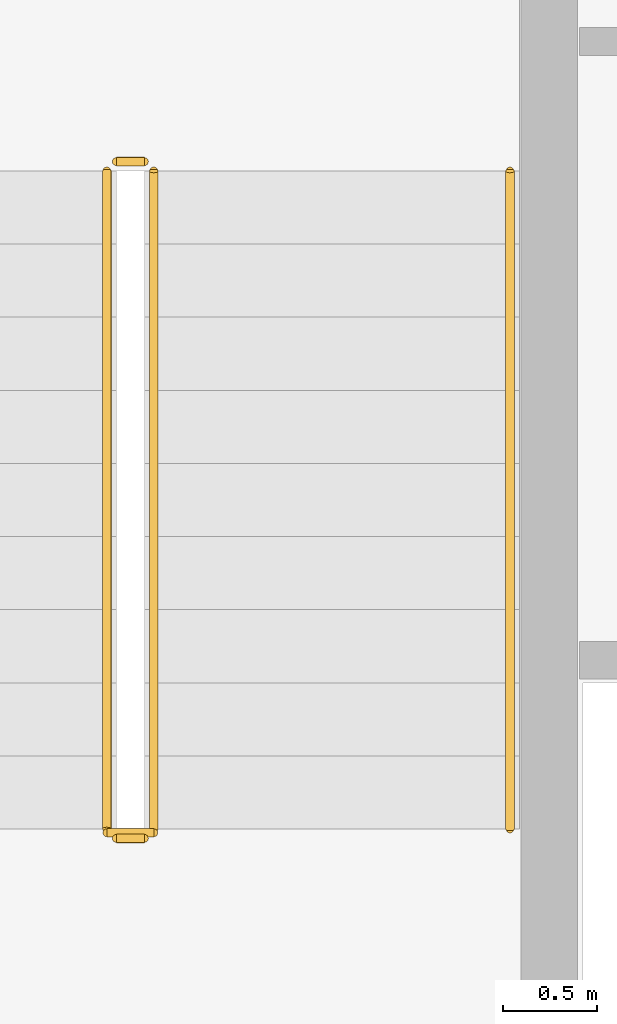
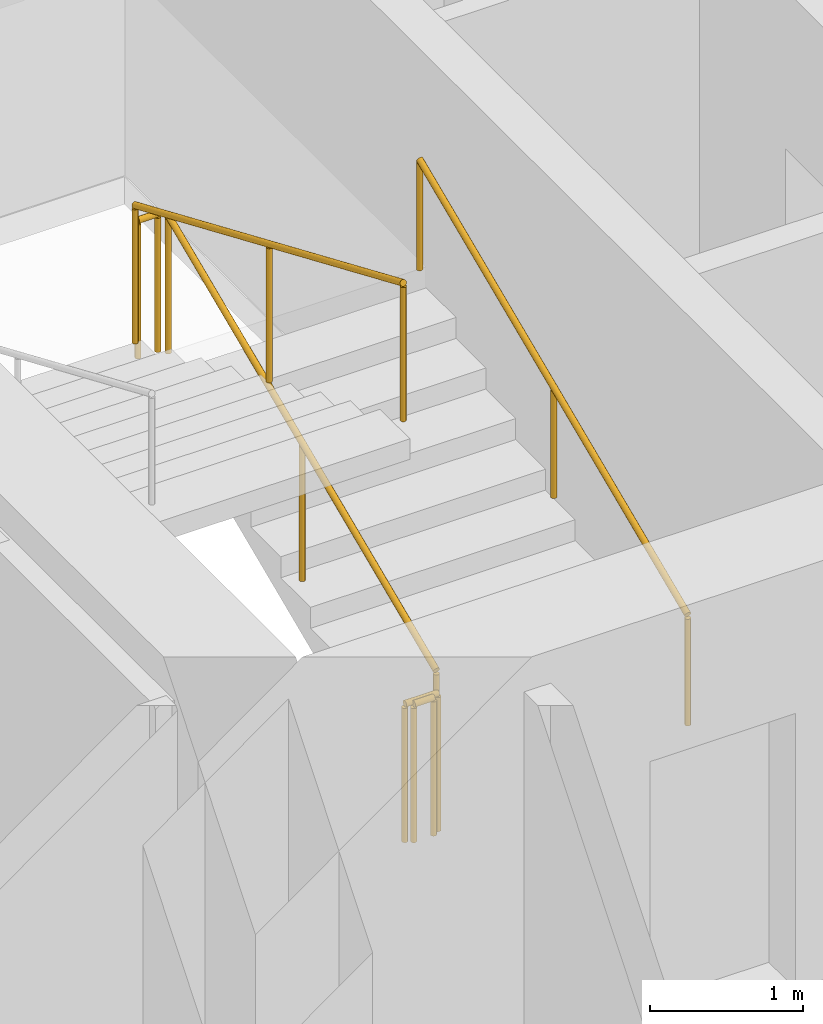
# One storey, part 38 of 39: 6 railings.
"""IFC4 building model written with IfcOpenShell, lengths in metres."""

from ifc_helpers import new_model, si_unit, direction, frame, origin, origin_2d, place, context, subcontext, project, spatial, circle, extrude, material, layer, layer_set, type_object, element, save


model = new_model("IFC4")

# Units and contexts
model_context = context("Model", 3, precision=1e-05, world=origin(), true_north=direction((0.0, 1.0)))
body_context = subcontext(model_context, "Body", "Model", "MODEL_VIEW")
ifc_project = project(units=[si_unit("LENGTHUNIT", "METRE"), si_unit("AREAUNIT", "SQUARE_METRE"), si_unit("VOLUMEUNIT", "CUBIC_METRE"), si_unit("PLANEANGLEUNIT", "RADIAN"), si_unit("MASSUNIT", "GRAM", prefix="KILO")], contexts=[model_context])

# Site, building, storey
site_placement = place(None, origin())
site = spatial("IfcSite", under=ifc_project, at=site_placement, CompositionType="ELEMENT")
building_placement = place(site_placement, origin())
building = spatial("IfcBuilding", under=site, at=building_placement, Name="Hatsunagi Terrace Concourse", CompositionType="ELEMENT")
storey_placement = place(building_placement, frame((0.0, 0.0, 66.75)))
storey = spatial("IfcBuildingStorey", under=building, at=storey_placement, Name="L17", CompositionType="ELEMENT", Elevation=66.75)

# Railings
ifc_material_1 = material(Name="Stainless steel", Category="steel")
ifc_layer_1 = layer(ifc_material_1, 0.044921875)
ifc_layer_set_1 = layer_set([ifc_layer_1], Name="StairPitchHandrail_Tower2000")
railing_type_1 = type_object("IfcRailingType", Name="StairPitchHandrail_Tower2000", PredefinedType="HANDRAIL", material=ifc_layer_set_1)
railing_1_placement = place(storey_placement, frame((30.330078125, 35.199951171875, 0.16748046875)))
element("IfcRailing", 1, at=railing_1_placement, inside=storey, type_object=railing_type_1, Name="L17 ST-A stair handrail 1", PredefinedType="HANDRAIL", context=body_context, shape_type="SweptSolid", body=[
    extrude(circle(Radius=0.02392578125, at=origin_2d()), frame((0.0, 0.0, 0.8759765625), z_axis=(0.0, 0.918834009242, 0.394644223904), x_axis=(-1.0, 0.0, 0.0)), (0.0, 0.0, 1.0), 3.820068359375),
    extrude(circle(Radius=0.02099609375, at=origin_2d()), origin(), (0.0, 0.0, 1.0), 0.851806640625),
    extrude(circle(Radius=0.02099609375, at=origin_2d()), frame((0.0, 1.7548828125, 0.75390625)), (0.0, 0.0, 1.0), 0.851806640625),
    extrude(circle(Radius=0.02099609375, at=origin_2d()), frame((0.0, 3.510009765625, 1.507568359375)), (0.0, 0.0, 1.0), 0.851806640625),
])
ifc_material_2 = material(Name="Stainless steel", Category="steel")
ifc_layer_2 = layer(ifc_material_2, 0.06005859375)
ifc_layer_set_2 = layer_set([ifc_layer_2], Name="StairWellGuard_Tower2000")
railing_type_2 = type_object("IfcRailingType", Name="StairWellGuard_Tower2000", PredefinedType="BALUSTRADE", material=ifc_layer_set_2)
railing_2_placement = place(storey_placement, frame((28.429931640625, 35.199951171875, 0.16748046875)))
element("IfcRailing", 2, at=railing_2_placement, inside=storey, type_object=railing_type_2, Name="L17 ST-A stair guard 1", PredefinedType="BALUSTRADE", context=body_context, shape_type="SweptSolid", body=[
    extrude(circle(Radius=0.02392578125, at=origin_2d()), frame((0.0, 0.0, 1.09619140625), z_axis=(0.0, 0.918834009242, 0.394644223904), x_axis=(-1.0, 0.0, 0.0)), (0.0, 0.0, 1.0), 3.820068359375),
    extrude(circle(Radius=0.02099609375, at=origin_2d()), origin(), (0.0, 0.0, 1.0), 1.072021484375),
    extrude(circle(Radius=0.02099609375, at=origin_2d()), frame((0.0, 1.7548828125, 0.75390625)), (0.0, 0.0, 1.0), 1.072021484375),
    extrude(circle(Radius=0.02099609375, at=origin_2d()), frame((0.0, 3.510009765625, 1.507568359375)), (0.0, 0.0, 1.0), 1.072021484375),
])
railing_3_placement = place(storey_placement, frame((28.3798828125, 38.760009765625, 1.675048828125)))
element("IfcRailing", 3, at=railing_3_placement, inside=storey, type_object=railing_type_2, Name="L17 ST-A stair guard 2", PredefinedType="BALUSTRADE", context=body_context, shape_type="SweptSolid", body=[
    extrude(circle(Radius=0.02392578125, at=origin_2d()), frame((0.0, 0.0, 1.09619140625), z_axis=(-1.0, 0.0, 0.0), x_axis=(0.0, -1.0, 0.0)), (0.0, 0.0, 1.0), 0.14990234375),
    extrude(circle(Radius=0.02099609375, at=origin_2d()), origin(), (0.0, 0.0, 1.0), 1.072021484375),
    extrude(circle(Radius=0.02099609375, at=origin_2d()), frame((-0.14990234375, 0.0, 0.0)), (0.0, 0.0, 1.0), 1.072021484375),
])
railing_4_placement = place(storey_placement, frame((28.179931640625, 38.7099609375, 1.842529296875)))
element("IfcRailing", 4, at=railing_4_placement, inside=storey, type_object=railing_type_2, Name="L17 ST-A stair guard 3", PredefinedType="BALUSTRADE", context=body_context, shape_type="SweptSolid", body=[
    extrude(circle(Radius=0.02392578125, at=origin_2d()), frame((0.0, 0.0, 1.09619140625), z_axis=(0.0, -0.918834009242, 0.394644223904), x_axis=(1.0, 0.0, 0.0)), (0.0, 0.0, 1.0), 3.820068359375),
    extrude(circle(Radius=0.02099609375, at=origin_2d()), origin(), (0.0, 0.0, 1.0), 1.072021484375),
    extrude(circle(Radius=0.02099609375, at=origin_2d()), frame((0.0, -1.7548828125, 0.75390625)), (0.0, 0.0, 1.0), 1.072021484375),
    extrude(circle(Radius=0.02099609375, at=origin_2d()), frame((0.0, -3.510009765625, 1.507568359375)), (0.0, 0.0, 1.0), 1.072021484375),
])
railing_5_placement = place(storey_placement, frame((28.3798828125, 35.14990234375, 0.0)))
element("IfcRailing", 5, at=railing_5_placement, inside=storey, type_object=railing_type_2, Name="L17 ST-A stair guard 4", PredefinedType="BALUSTRADE", context=body_context, shape_type="SweptSolid", body=[
    extrude(circle(Radius=0.02392578125, at=origin_2d()), frame((0.0, 0.0, 1.09619140625), z_axis=(-1.0, 0.0, 0.0), x_axis=(0.0, -1.0, 0.0)), (0.0, 0.0, 1.0), 0.14990234375),
    extrude(circle(Radius=0.02099609375, at=origin_2d()), origin(), (0.0, 0.0, 1.0), 1.072021484375),
    extrude(circle(Radius=0.02099609375, at=origin_2d()), frame((-0.14990234375, 0.0, 0.0)), (0.0, 0.0, 1.0), 1.072021484375),
])
ifc_material_3 = material(Name="Stainless Steel SUS316 Post-and-Rail Guard", Category="steel")
ifc_layer_3 = layer(ifc_material_3, 0.080078125)
ifc_layer_set_3 = layer_set([ifc_layer_3], Name="TerracePlantedGuardRail_1200")
railing_type_3 = type_object("IfcRailingType", Name="TerracePlantedGuardRail_1200", PredefinedType="GUARDRAIL", material=ifc_layer_set_3)
railing_6_placement = place(storey_placement, frame((28.179931640625, 35.179931640625, 0.0)))
element("IfcRailing", 6, at=railing_6_placement, inside=storey, type_object=railing_type_3, Name="Stair ST-A Well Closure Guard L17", PredefinedType="GUARDRAIL", context=body_context, shape_type="SweptSolid", body=[
    extrude(circle(Radius=0.02392578125, at=origin_2d()), frame((0.0, 0.0, 1.09619140625), z_axis=(1.0, 0.0, 0.0), x_axis=(0.0, 1.0, 0.0)), (0.0, 0.0, 1.0), 0.25),
    extrude(circle(Radius=0.02099609375, at=origin_2d()), origin(), (0.0, 0.0, 1.0), 1.072021484375),
    extrude(circle(Radius=0.02099609375, at=origin_2d()), frame((0.25, 0.0, 0.0)), (0.0, 0.0, 1.0), 1.072021484375),
])

save(model, "model.ifc")
